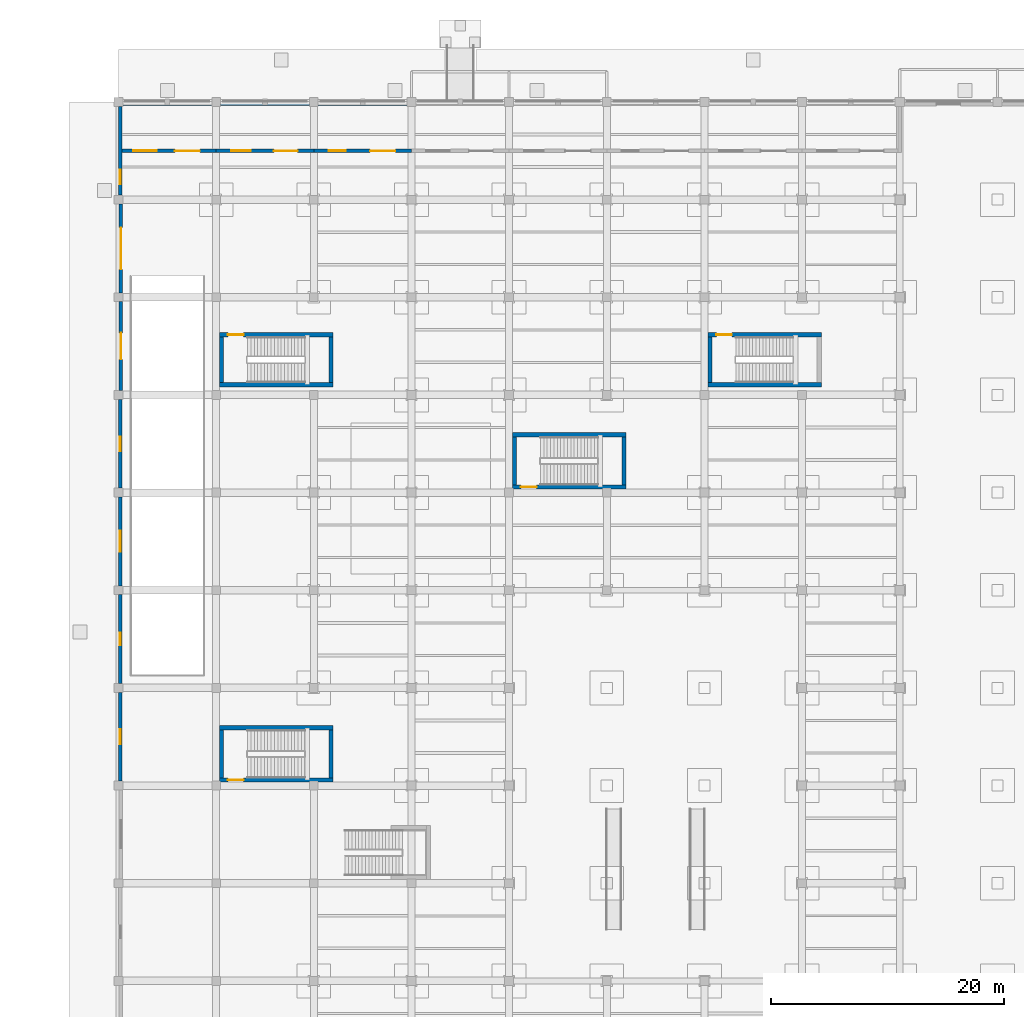
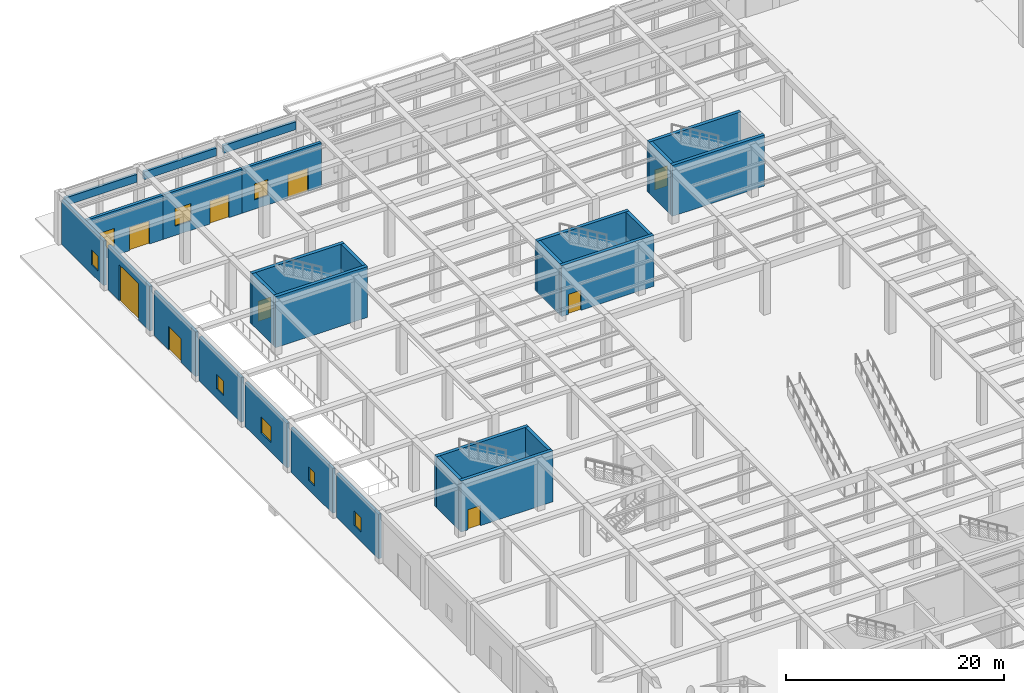
# One storey, part 25 of 43: 28 walls, 9 doors, 8 windows, 17 openings.
"""IFC4 building model written with IfcOpenShell, lengths in metres."""

from ifc_helpers import new_model, si_unit, direction, frame, frame_2d, origin, place, context, subcontext, project, spatial, rectangle, extrude, material, layer, layer_set, type_object, element, fill, save


model = new_model("IFC4")

# Units and contexts
model_context = context("Model", 3, precision=1e-05, world=origin(), true_north=direction((0.0, 1.0)))
body_context = subcontext(model_context, "Body", "Model", "MODEL_VIEW")
ifc_project = project(units=[si_unit("LENGTHUNIT", "METRE"), si_unit("AREAUNIT", "SQUARE_METRE"), si_unit("VOLUMEUNIT", "CUBIC_METRE"), si_unit("PLANEANGLEUNIT", "RADIAN"), si_unit("MASSUNIT", "GRAM", prefix="KILO")], contexts=[model_context])

# Site, building, storey
site_placement = place(None, origin())
site = spatial("IfcSite", under=ifc_project, at=site_placement, CompositionType="ELEMENT")
building_placement = place(site_placement, origin())
building = spatial("IfcBuilding", under=site, at=building_placement, Name="Almacenes y Pasaje Nevantli", CompositionType="ELEMENT")
storey_placement = place(building_placement, origin())
storey = spatial("IfcBuildingStorey", under=building, at=storey_placement, Name="L01", CompositionType="ELEMENT", Elevation=0.0)

# Wall
ifc_material_1 = material(Name="Concrete C45/55", Category="concrete")
ifc_layer_1 = layer(ifc_material_1, 0.35009765625)
ifc_layer_set_1 = layer_set([ifc_layer_1], Name="Concrete C45/55")
wall_type_1 = type_object("IfcWallType", Name="WL-CORE-350", PredefinedType="SHEAR", material=ifc_layer_set_1)
wall_1_placement = place(storey_placement, frame((8.699951171875, 93.27490234375, 0.0), z_axis=(0.0, 0.0, 1.0), x_axis=(1.0, 0.0, 0.0)))
element("IfcWall", 1, at=wall_1_placement, inside=storey, type_object=wall_type_1, Name="L01 Exit Stair ST-03 South Core Shear Wall", PredefinedType="SHEAR", context=body_context, shape_type="SweptSolid", body=[
    extrude(rectangle(XDim=9.75, YDim=0.35009765625, at=frame_2d((4.875, 0.0))), origin(), (0.0, 0.0, 1.0), 5.699951171875),
])

# Wall, opening, door
wall_2_placement = place(storey_placement, frame((8.699951171875, 97.574951171875, 0.0), z_axis=(0.0, 0.0, 1.0), x_axis=(1.0, 0.0, 0.0)))
wall_2 = element("IfcWall", 2, at=wall_2_placement, inside=storey, type_object=wall_type_1, Name="L01 Exit Stair ST-03 North Core Shear Wall", PredefinedType="SHEAR", context=body_context, shape_type="SweptSolid", body=[
    extrude(rectangle(XDim=9.75, YDim=0.35009765625, at=frame_2d((4.875, 0.0))), origin(), (0.0, 0.0, 1.0), 5.699951171875),
])
opening_1_placement = place(wall_2_placement, frame((0.719970703125, 0.0, 0.0)))
opening_1 = element("IfcOpeningElement", 3, at=opening_1_placement, cuts=wall_2, Name="Opening SD-03-L01", PredefinedType="OPENING", context=body_context, shape_type="SweptSolid", body=[
    extrude(rectangle(XDim=1.35009765625, YDim=2.25, at=frame_2d((0.675048828125, 1.125))), frame((0.0, 0.18505859375, 0.0), z_axis=(0.0, -1.0, 0.0), x_axis=(1.0, 0.0, 0.0)), (0.0, 0.0, 1.0), 0.3701171875),
])
ifc_material_2 = material(Name="Galvanized Fire-Rated Steel", Category="steel")
door_type_1 = type_object("IfcDoorType", Name="DR-STAIR-1350", OperationType="SINGLE_SWING_LEFT", PredefinedType="DOOR", material=ifc_material_2)
door_1_placement = place(opening_1_placement, origin())
door_1 = element("IfcDoor", 4, at=door_1_placement, inside=storey, type_object=door_type_1, Name="L01 Smokeproof Exit Stair ST-03 Fire Door", OperationType="SINGLE_SWING_LEFT", OverallHeight=2.25, OverallWidth=1.35009765625, PredefinedType="DOOR", context=body_context, shape_type="SweptSolid", body=[
    extrude(rectangle(XDim=1.35009765625, YDim=2.25, at=frame_2d((0.675048828125, 1.125))), frame((0.0, 0.02490234375, 0.0), z_axis=(0.0, -1.0, 0.0), x_axis=(1.0, 0.0, 0.0)), (0.0, 0.0, 1.0), 0.050048828125),
])
fill(opening_1, door_1)

# Walls
for number, where, z_axis, x_axis, name in (
    (5, (8.875, 93.449951171875, 0.0), (0.0, 0.0, 1.0), (0.0, 1.0, 0.0), "L01 Exit Stair ST-03 West Core Shear Wall"),
    (6, (18.27490234375, 93.449951171875, 0.0), (0.0, 0.0, 1.0), (0.0, 1.0, 0.0), "L01 Exit Stair ST-03 East Core Shear Wall"),
):
    element("IfcWall", number, at=place(storey_placement, frame(where, z_axis=z_axis, x_axis=x_axis)), inside=storey, type_object=wall_type_1, Name=name, PredefinedType="SHEAR", context=body_context, shape_type="SweptSolid", body=[
        extrude(rectangle(XDim=3.949951171875, YDim=0.35009765625, at=frame_2d((1.97509765625, 0.0))), origin(), (0.0, 0.0, 1.0), 5.699951171875),
    ])
wall_3_placement = place(storey_placement, frame((50.699951171875, 93.27490234375, 0.0), z_axis=(0.0, 0.0, 1.0), x_axis=(1.0, 0.0, 0.0)))
element("IfcWall", 7, at=wall_3_placement, inside=storey, type_object=wall_type_1, Name="L01 Exit Stair ST-05 South Core Shear Wall", PredefinedType="SHEAR", context=body_context, shape_type="SweptSolid", body=[
    extrude(rectangle(XDim=9.75, YDim=0.35009765625, at=frame_2d((4.875, 0.0))), origin(), (0.0, 0.0, 1.0), 5.699951171875),
])

# Wall, opening, door
wall_4_placement = place(storey_placement, frame((50.699951171875, 97.574951171875, 0.0), z_axis=(0.0, 0.0, 1.0), x_axis=(1.0, 0.0, 0.0)))
wall_4 = element("IfcWall", 8, at=wall_4_placement, inside=storey, type_object=wall_type_1, Name="L01 Exit Stair ST-05 North Core Shear Wall", PredefinedType="SHEAR", context=body_context, shape_type="SweptSolid", body=[
    extrude(rectangle(XDim=9.75, YDim=0.35009765625, at=frame_2d((4.875, 0.0))), origin(), (0.0, 0.0, 1.0), 5.699951171875),
])
opening_2_placement = place(wall_4_placement, frame((0.719970703125, 0.0, 0.0)))
opening_2 = element("IfcOpeningElement", 9, at=opening_2_placement, cuts=wall_4, Name="Opening SD-05-L01", PredefinedType="OPENING", context=body_context, shape_type="SweptSolid", body=[
    extrude(rectangle(XDim=1.35009765625, YDim=2.25, at=frame_2d((0.675048828125, 1.125))), frame((0.0, 0.18505859375, 0.0), z_axis=(0.0, -1.0, 0.0), x_axis=(1.0, 0.0, 0.0)), (0.0, 0.0, 1.0), 0.3701171875),
])
door_2_placement = place(opening_2_placement, origin())
door_2 = element("IfcDoor", 10, at=door_2_placement, inside=storey, type_object=door_type_1, Name="L01 Smokeproof Exit Stair ST-05 Fire Door", OperationType="SINGLE_SWING_LEFT", OverallHeight=2.25, OverallWidth=1.35009765625, PredefinedType="DOOR", context=body_context, shape_type="SweptSolid", body=[
    extrude(rectangle(XDim=1.35009765625, YDim=2.25, at=frame_2d((0.675048828125, 1.125))), frame((0.0, 0.02490234375, 0.0), z_axis=(0.0, -1.0, 0.0), x_axis=(1.0, 0.0, 0.0)), (0.0, 0.0, 1.0), 0.050048828125),
])
fill(opening_2, door_2)

# Wall
wall_5_placement = place(storey_placement, frame((50.875, 93.449951171875, 0.0), z_axis=(0.0, 0.0, 1.0), x_axis=(0.0, 1.0, 0.0)))
element("IfcWall", 11, at=wall_5_placement, inside=storey, type_object=wall_type_1, Name="L01 Exit Stair ST-05 West Core Shear Wall", PredefinedType="SHEAR", context=body_context, shape_type="SweptSolid", body=[
    extrude(rectangle(XDim=3.949951171875, YDim=0.35009765625, at=frame_2d((1.97509765625, 0.0))), origin(), (0.0, 0.0, 1.0), 5.699951171875),
])

# Wall, opening, door
wall_6_placement = place(storey_placement, frame((8.699951171875, 59.27490234375, 0.0), z_axis=(0.0, 0.0, 1.0), x_axis=(1.0, 0.0, 0.0)))
wall_6 = element("IfcWall", 12, at=wall_6_placement, inside=storey, type_object=wall_type_1, Name="L01 Exit Stair ST-12 South Core Shear Wall", PredefinedType="SHEAR", context=body_context, shape_type="SweptSolid", body=[
    extrude(rectangle(XDim=9.75, YDim=0.35009765625, at=frame_2d((4.875, 0.0))), origin(), (0.0, 0.0, 1.0), 5.699951171875),
])
opening_3_placement = place(wall_6_placement, frame((0.719970703125, 0.0, 0.0)))
opening_3 = element("IfcOpeningElement", 13, at=opening_3_placement, cuts=wall_6, Name="Opening SD-12-L01", PredefinedType="OPENING", context=body_context, shape_type="SweptSolid", body=[
    extrude(rectangle(XDim=1.35009765625, YDim=2.25, at=frame_2d((0.675048828125, 1.125))), frame((0.0, 0.18505859375, 0.0), z_axis=(0.0, -1.0, 0.0), x_axis=(1.0, 0.0, 0.0)), (0.0, 0.0, 1.0), 0.3701171875),
])
ifc_material_3 = material(Name="Galvanized Fire-Rated Steel", Category="steel")
door_type_2 = type_object("IfcDoorType", Name="DR-STAIR-1350R", OperationType="SINGLE_SWING_RIGHT", PredefinedType="DOOR", material=ifc_material_3)
door_3_placement = place(opening_3_placement, origin())
door_3 = element("IfcDoor", 14, at=door_3_placement, inside=storey, type_object=door_type_2, Name="L01 Smokeproof Exit Stair ST-12 Fire Door", OperationType="SINGLE_SWING_RIGHT", OverallHeight=2.25, OverallWidth=1.35009765625, PredefinedType="DOOR", context=body_context, shape_type="SweptSolid", body=[
    extrude(rectangle(XDim=1.35009765625, YDim=2.25, at=frame_2d((0.675048828125, 1.125))), frame((0.0, 0.02490234375, 0.0), z_axis=(0.0, -1.0, 0.0), x_axis=(1.0, 0.0, 0.0)), (0.0, 0.0, 1.0), 0.050048828125),
])
fill(opening_3, door_3)

# Walls
wall_7_placement = place(storey_placement, frame((8.699951171875, 63.77490234375, 0.0), z_axis=(0.0, 0.0, 1.0), x_axis=(1.0, 0.0, 0.0)))
element("IfcWall", 15, at=wall_7_placement, inside=storey, type_object=wall_type_1, Name="L01 Exit Stair ST-12 North Core Shear Wall", PredefinedType="SHEAR", context=body_context, shape_type="SweptSolid", body=[
    extrude(rectangle(XDim=9.75, YDim=0.35009765625, at=frame_2d((4.875, 0.0))), origin(), (0.0, 0.0, 1.0), 5.699951171875),
])
for number, where, z_axis, x_axis, name in (
    (16, (8.875, 59.449951171875, 0.0), (0.0, 0.0, 1.0), (0.0, 1.0, 0.0), "L01 Exit Stair ST-12 West Core Shear Wall"),
    (17, (18.27490234375, 59.449951171875, 0.0), (0.0, 0.0, 1.0), (0.0, 1.0, 0.0), "L01 Exit Stair ST-12 East Core Shear Wall"),
):
    element("IfcWall", number, at=place(storey_placement, frame(where, z_axis=z_axis, x_axis=x_axis)), inside=storey, type_object=wall_type_1, Name=name, PredefinedType="SHEAR", context=body_context, shape_type="SweptSolid", body=[
        extrude(rectangle(XDim=4.150146484375, YDim=0.35009765625, at=frame_2d((2.0751953125, 0.0))), origin(), (0.0, 0.0, 1.0), 5.699951171875),
    ])

# Wall, opening, door
wall_8_placement = place(storey_placement, frame((33.89990234375, 84.47509765625, 0.0), z_axis=(0.0, 0.0, 1.0), x_axis=(1.0, 0.0, 0.0)))
wall_8 = element("IfcWall", 18, at=wall_8_placement, inside=storey, type_object=wall_type_1, Name="L01 Exit Stair ST-15 South Core Shear Wall", PredefinedType="SHEAR", context=body_context, shape_type="SweptSolid", body=[
    extrude(rectangle(XDim=9.75, YDim=0.35009765625, at=frame_2d((4.875, 0.0))), origin(), (0.0, 0.0, 1.0), 5.699951171875),
])
opening_4_placement = place(wall_8_placement, frame((0.719970703125, 0.0, 0.0)))
opening_4 = element("IfcOpeningElement", 19, at=opening_4_placement, cuts=wall_8, Name="Opening SD-15-L01", PredefinedType="OPENING", context=body_context, shape_type="SweptSolid", body=[
    extrude(rectangle(XDim=1.35009765625, YDim=2.25, at=frame_2d((0.675048828125, 1.125))), frame((0.0, 0.18505859375, 0.0), z_axis=(0.0, -1.0, 0.0), x_axis=(1.0, 0.0, 0.0)), (0.0, 0.0, 1.0), 0.3701171875),
])
door_4_placement = place(opening_4_placement, origin())
door_4 = element("IfcDoor", 20, at=door_4_placement, inside=storey, type_object=door_type_1, Name="L01 Smokeproof Exit Stair ST-15 Fire Door", OperationType="SINGLE_SWING_LEFT", OverallHeight=2.25, OverallWidth=1.35009765625, PredefinedType="DOOR", context=body_context, shape_type="SweptSolid", body=[
    extrude(rectangle(XDim=1.35009765625, YDim=2.25, at=frame_2d((0.675048828125, 1.125))), frame((0.0, 0.02490234375, 0.0), z_axis=(0.0, -1.0, 0.0), x_axis=(1.0, 0.0, 0.0)), (0.0, 0.0, 1.0), 0.050048828125),
])
fill(opening_4, door_4)

# Walls
wall_9_placement = place(storey_placement, frame((33.89990234375, 88.97509765625, 0.0), z_axis=(0.0, 0.0, 1.0), x_axis=(1.0, 0.0, 0.0)))
element("IfcWall", 21, at=wall_9_placement, inside=storey, type_object=wall_type_1, Name="L01 Exit Stair ST-15 North Core Shear Wall", PredefinedType="SHEAR", context=body_context, shape_type="SweptSolid", body=[
    extrude(rectangle(XDim=9.75, YDim=0.35009765625, at=frame_2d((4.875, 0.0))), origin(), (0.0, 0.0, 1.0), 5.699951171875),
])
for number, where, z_axis, x_axis, name in (
    (22, (34.074951171875, 84.64990234375, 0.0), (0.0, 0.0, 1.0), (0.0, 1.0, 0.0), "L01 Exit Stair ST-15 West Core Shear Wall"),
    (23, (43.47509765625, 84.64990234375, 0.0), (0.0, 0.0, 1.0), (0.0, 1.0, 0.0), "L01 Exit Stair ST-15 East Core Shear Wall"),
):
    element("IfcWall", number, at=place(storey_placement, frame(where, z_axis=z_axis, x_axis=x_axis)), inside=storey, type_object=wall_type_1, Name=name, PredefinedType="SHEAR", context=body_context, shape_type="SweptSolid", body=[
        extrude(rectangle(XDim=4.150146484375, YDim=0.35009765625, at=frame_2d((2.0751953125, 0.0))), origin(), (0.0, 0.0, 1.0), 5.699951171875),
    ])
ifc_material_4 = material(Name="Architectural Precast Concrete C35/45 Spandrel Wall", Category="concrete")
ifc_layer_2 = layer(ifc_material_4, 0.280029296875)
ifc_layer_set_2 = layer_set([ifc_layer_2], Name="Architectural Precast Concrete C35/45 Spandrel Wall")
wall_type_2 = type_object("IfcWallType", Name="WL-EXT-CANTERA-280", PredefinedType="SOLIDWALL", material=ifc_layer_set_2)
for number, where, z_axis, x_axis, name in (
    (24, (0.3779296875, 117.449951171875, 4.10009765625), (0.0, 0.0, 1.0), (1.0, 0.0, 0.0), "L01 Boulevard Portales Colonnade Spandrel Frieze Bay 1"),
    (25, (8.778076171875, 117.449951171875, 4.10009765625), (0.0, 0.0, 1.0), (1.0, 0.0, 0.0), "L01 Boulevard Portales Colonnade Spandrel Frieze Bay 2"),
    (26, (17.177978515625, 117.449951171875, 4.10009765625), (0.0, 0.0, 1.0), (1.0, 0.0, 0.0), "L01 Boulevard Portales Colonnade Spandrel Frieze Bay 3"),
):
    element("IfcWall", number, at=place(storey_placement, frame(where, z_axis=z_axis, x_axis=x_axis)), inside=storey, type_object=wall_type_2, Name=name, PredefinedType="SOLIDWALL", context=body_context, shape_type="SweptSolid", body=[
        extrude(rectangle(XDim=7.64404296875, YDim=0.280029296875, at=frame_2d((3.822021484375, 0.0))), origin(), (0.0, 0.0, 1.0), 0.8798828125),
    ])

# Wall, openings, door, window
ifc_material_5 = material(Name="Architectural Precast Concrete C35/45 Plinth Wall", Category="concrete")
ifc_layer_3 = layer(ifc_material_5, 0.31005859375)
ifc_layer_set_3 = layer_set([ifc_layer_3], Name="Architectural Precast Concrete C35/45 Plinth Wall")
wall_type_3 = type_object("IfcWallType", Name="WL-EXT-RECINTO-310", PredefinedType="SOLIDWALL", material=ifc_layer_set_3)
wall_10_placement = place(storey_placement, frame((0.30908203125, 113.39990234375, 0.0), z_axis=(0.0, 0.0, 1.0), x_axis=(1.0, 0.0, 0.0)))
wall_10 = element("IfcWall", 27, at=wall_10_placement, inside=storey, type_object=wall_type_3, Name="L01 Boulevard Portales Storefront Wall Bay 1", PredefinedType="SOLIDWALL", context=body_context, shape_type="SweptSolid", body=[
    extrude(rectangle(XDim=8.0908203125, YDim=0.31005859375, at=frame_2d((4.04541015625, 0.0))), origin(), (0.0, 0.0, 1.0), 4.97998046875),
])
opening_5_placement = place(wall_10_placement, frame((0.98095703125, 0.0, 1.050048828125)))
opening_5 = element("IfcOpeningElement", 28, at=opening_5_placement, cuts=wall_10, Name="Opening WT-15-001", PredefinedType="OPENING", context=body_context, shape_type="SweptSolid", body=[
    extrude(rectangle(XDim=2.0, YDim=2.0, at=frame_2d((1.0, 1.0))), frame((0.0, 0.1650390625, 0.0), z_axis=(0.0, -1.0, 0.0), x_axis=(1.0, 0.0, 0.0)), (0.0, 0.0, 1.0), 0.330078125),
])
opening_6_placement = place(wall_10_placement, frame((4.541015625, 0.0, 0.0)))
opening_6 = element("IfcOpeningElement", 29, at=opening_6_placement, cuts=wall_10, Name="Opening ED-L01-001", PredefinedType="OPENING", context=body_context, shape_type="SweptSolid", body=[
    extrude(rectangle(XDim=2.159912109375, YDim=2.60009765625, at=frame_2d((1.080078125, 1.300048828125))), frame((0.0, 0.1650390625, 0.0), z_axis=(0.0, -1.0, 0.0), x_axis=(1.0, 0.0, 0.0)), (0.0, 0.0, 1.0), 0.330078125),
])
ifc_material_6 = material(Name="Anodized Aluminium and Safety Glass", Category="aluminium")
door_type_3 = type_object("IfcDoorType", Name="DR-EXT-DBL-2160", OperationType="DOUBLE_DOOR_SINGLE_SWING", PredefinedType="DOOR", material=ifc_material_6)
door_5_placement = place(opening_6_placement, origin())
door_5 = element("IfcDoor", 30, at=door_5_placement, inside=storey, type_object=door_type_3, Name="L01 Boulevard Portales Entrance Door Bay 1", OperationType="DOUBLE_DOOR_SINGLE_SWING", OverallHeight=2.60009765625, OverallWidth=2.159912109375, PredefinedType="DOOR", context=body_context, shape_type="SweptSolid", body=[
    extrude(rectangle(XDim=2.159912109375, YDim=2.60009765625, at=frame_2d((1.080078125, 1.300048828125))), frame((0.0, 0.02490234375, 0.0), z_axis=(0.0, -1.0, 0.0), x_axis=(1.0, 0.0, 0.0)), (0.0, 0.0, 1.0), 0.050048828125),
])
fill(opening_6, door_5)
ifc_material_7 = material(Name="Thermally Broken Aluminium and Low-E Double Glazing", Category="aluminium")
window_type_1 = type_object("IfcWindowType", Name="WN-POD-2000x2000", PartitioningType="SINGLE_PANEL", PredefinedType="WINDOW", material=ifc_material_7)
window_1_placement = place(opening_5_placement, origin())
window_1 = element("IfcWindow", 31, at=window_1_placement, inside=storey, type_object=window_type_1, Name="L01 Exterior Window WT-15 #1", OverallHeight=2.0, OverallWidth=2.0, PartitioningType="SINGLE_PANEL", PredefinedType="WINDOW", context=body_context, shape_type="SweptSolid", body=[
    extrude(rectangle(XDim=2.0, YDim=2.0, at=frame_2d((1.0, 1.0))), frame((0.0, 0.030029296875, 0.0), z_axis=(0.0, -1.0, 0.0), x_axis=(1.0, 0.0, 0.0)), (0.0, 0.0, 1.0), 0.06005859375),
])
fill(opening_5, window_1)

wall_11_placement = place(storey_placement, frame((8.39990234375, 113.39990234375, 0.0), z_axis=(0.0, 0.0, 1.0), x_axis=(1.0, 0.0, 0.0)))
wall_11 = element("IfcWall", 32, at=wall_11_placement, inside=storey, type_object=wall_type_3, Name="L01 Boulevard Portales Storefront Wall Bay 2", PredefinedType="SOLIDWALL", context=body_context, shape_type="SweptSolid", body=[
    extrude(rectangle(XDim=8.400146484375, YDim=0.31005859375, at=frame_2d((4.2001953125, 0.0))), origin(), (0.0, 0.0, 1.0), 4.97998046875),
])
opening_7_placement = place(wall_11_placement, frame((1.2900390625, 0.0, 1.050048828125)))
opening_7 = element("IfcOpeningElement", 33, at=opening_7_placement, cuts=wall_11, Name="Opening WT-16-002", PredefinedType="OPENING", context=body_context, shape_type="SweptSolid", body=[
    extrude(rectangle(XDim=1.699951171875, YDim=1.949951171875, at=frame_2d((0.85009765625, 0.97509765625))), frame((0.0, 0.1650390625, 0.0), z_axis=(0.0, -1.0, 0.0), x_axis=(1.0, 0.0, 0.0)), (0.0, 0.0, 1.0), 0.330078125),
])
opening_8_placement = place(wall_11_placement, frame((4.969970703125, 0.0, 0.0)))
opening_8 = element("IfcOpeningElement", 34, at=opening_8_placement, cuts=wall_11, Name="Opening ED-L01-002", PredefinedType="OPENING", context=body_context, shape_type="SweptSolid", body=[
    extrude(rectangle(XDim=2.0400390625, YDim=2.550048828125, at=frame_2d((1.02001953125, 1.27490234375))), frame((0.0, 0.1650390625, 0.0), z_axis=(0.0, -1.0, 0.0), x_axis=(1.0, 0.0, 0.0)), (0.0, 0.0, 1.0), 0.330078125),
])
ifc_material_8 = material(Name="Anodized Aluminium and Safety Glass", Category="aluminium")
door_type_4 = type_object("IfcDoorType", Name="DR-EXT-DBL-2040", OperationType="DOUBLE_DOOR_SINGLE_SWING", PredefinedType="DOOR", material=ifc_material_8)
door_6_placement = place(opening_8_placement, origin())
door_6 = element("IfcDoor", 35, at=door_6_placement, inside=storey, type_object=door_type_4, Name="L01 Boulevard Portales Entrance Door Bay 2", OperationType="DOUBLE_DOOR_SINGLE_SWING", OverallHeight=2.550048828125, OverallWidth=2.0400390625, PredefinedType="DOOR", context=body_context, shape_type="SweptSolid", body=[
    extrude(rectangle(XDim=2.0400390625, YDim=2.550048828125, at=frame_2d((1.02001953125, 1.27490234375))), frame((0.0, 0.02490234375, 0.0), z_axis=(0.0, -1.0, 0.0), x_axis=(1.0, 0.0, 0.0)), (0.0, 0.0, 1.0), 0.050048828125),
])
fill(opening_8, door_6)
ifc_material_9 = material(Name="Thermally Broken Aluminium and Low-E Double Glazing", Category="aluminium")
window_type_2 = type_object("IfcWindowType", Name="WN-POD-1700x1950", PartitioningType="SINGLE_PANEL", PredefinedType="WINDOW", material=ifc_material_9)
window_2_placement = place(opening_7_placement, origin())
window_2 = element("IfcWindow", 36, at=window_2_placement, inside=storey, type_object=window_type_2, Name="L01 Exterior Window WT-16 #2", OverallHeight=1.949951171875, OverallWidth=1.699951171875, PartitioningType="SINGLE_PANEL", PredefinedType="WINDOW", context=body_context, shape_type="SweptSolid", body=[
    extrude(rectangle(XDim=1.699951171875, YDim=1.949951171875, at=frame_2d((0.85009765625, 0.97509765625))), frame((0.0, 0.030029296875, 0.0), z_axis=(0.0, -1.0, 0.0), x_axis=(1.0, 0.0, 0.0)), (0.0, 0.0, 1.0), 0.06005859375),
])
fill(opening_7, window_2)

wall_12_placement = place(storey_placement, frame((16.800048828125, 113.39990234375, 0.0), z_axis=(0.0, 0.0, 1.0), x_axis=(1.0, 0.0, 0.0)))
wall_12 = element("IfcWall", 37, at=wall_12_placement, inside=storey, type_object=wall_type_3, Name="L01 Boulevard Portales Storefront Wall Bay 3", PredefinedType="SOLIDWALL", context=body_context, shape_type="SweptSolid", body=[
    extrude(rectangle(XDim=8.39990234375, YDim=0.31005859375, at=frame_2d((4.199951171875, 0.0))), origin(), (0.0, 0.0, 1.0), 4.97998046875),
])
opening_9_placement = place(wall_12_placement, frame((1.2900390625, 0.0, 1.050048828125)))
opening_9 = element("IfcOpeningElement", 38, at=opening_9_placement, cuts=wall_12, Name="Opening WT-17-003", PredefinedType="OPENING", context=body_context, shape_type="SweptSolid", body=[
    extrude(rectangle(XDim=1.449951171875, YDim=1.800048828125, at=frame_2d((0.72509765625, 0.89990234375))), frame((0.0, 0.1650390625, 0.0), z_axis=(0.0, -1.0, 0.0), x_axis=(1.0, 0.0, 0.0)), (0.0, 0.0, 1.0), 0.330078125),
])
opening_10_placement = place(wall_12_placement, frame((4.85009765625, 0.0, 0.0)))
opening_10 = element("IfcOpeningElement", 39, at=opening_10_placement, cuts=wall_12, Name="Opening ED-L01-003", PredefinedType="OPENING", context=body_context, shape_type="SweptSolid", body=[
    extrude(rectangle(XDim=2.159912109375, YDim=2.60009765625, at=frame_2d((1.080078125, 1.300048828125))), frame((0.0, 0.1650390625, 0.0), z_axis=(0.0, -1.0, 0.0), x_axis=(1.0, 0.0, 0.0)), (0.0, 0.0, 1.0), 0.330078125),
])
door_7_placement = place(opening_10_placement, origin())
door_7 = element("IfcDoor", 40, at=door_7_placement, inside=storey, type_object=door_type_3, Name="L01 Boulevard Portales Entrance Door Bay 3", OperationType="DOUBLE_DOOR_SINGLE_SWING", OverallHeight=2.60009765625, OverallWidth=2.159912109375, PredefinedType="DOOR", context=body_context, shape_type="SweptSolid", body=[
    extrude(rectangle(XDim=2.159912109375, YDim=2.60009765625, at=frame_2d((1.080078125, 1.300048828125))), frame((0.0, 0.02490234375, 0.0), z_axis=(0.0, -1.0, 0.0), x_axis=(1.0, 0.0, 0.0)), (0.0, 0.0, 1.0), 0.050048828125),
])
fill(opening_10, door_7)
ifc_material_10 = material(Name="Thermally Broken Aluminium and Low-E Double Glazing", Category="aluminium")
window_type_3 = type_object("IfcWindowType", Name="WN-POD-1450x1800", PartitioningType="SINGLE_PANEL", PredefinedType="WINDOW", material=ifc_material_10)
window_3_placement = place(opening_9_placement, origin())
window_3 = element("IfcWindow", 41, at=window_3_placement, inside=storey, type_object=window_type_3, Name="L01 Exterior Window WT-17 #3", OverallHeight=1.800048828125, OverallWidth=1.449951171875, PartitioningType="SINGLE_PANEL", PredefinedType="WINDOW", context=body_context, shape_type="SweptSolid", body=[
    extrude(rectangle(XDim=1.449951171875, YDim=1.800048828125, at=frame_2d((0.72509765625, 0.89990234375))), frame((0.0, 0.030029296875, 0.0), z_axis=(0.0, -1.0, 0.0), x_axis=(1.0, 0.0, 0.0)), (0.0, 0.0, 1.0), 0.06005859375),
])
fill(opening_9, window_3)

# Wall, opening, window
wall_13_placement = place(storey_placement, frame((0.14990234375, 59.177978515625, 0.0), z_axis=(0.0, 0.0, 1.0), x_axis=(0.0, 1.0, 0.0)))
wall_13 = element("IfcWall", 42, at=wall_13_placement, inside=storey, type_object=wall_type_3, Name="L01 West Avenue Cantera Wall Bay 8", PredefinedType="SOLIDWALL", context=body_context, shape_type="SweptSolid", body=[
    extrude(rectangle(XDim=7.64404296875, YDim=0.31005859375, at=frame_2d((3.822021484375, 0.0))), origin(), (0.0, 0.0, 1.0), 4.97998046875),
])
opening_11_placement = place(wall_13_placement, frame((3.197021484375, 0.0, 1.050048828125)))
opening_11 = element("IfcOpeningElement", 43, at=opening_11_placement, cuts=wall_13, Name="Opening WT-18-028", PredefinedType="OPENING", context=body_context, shape_type="SweptSolid", body=[
    extrude(rectangle(XDim=1.25, YDim=1.64990234375, at=frame_2d((0.625, 0.824951171875))), frame((0.0, 0.1650390625, 0.0), z_axis=(0.0, -1.0, 0.0), x_axis=(1.0, 0.0, 0.0)), (0.0, 0.0, 1.0), 0.330078125),
])
ifc_material_11 = material(Name="Thermally Broken Aluminium and Low-E Double Glazing", Category="aluminium")
window_type_4 = type_object("IfcWindowType", Name="WN-POD-1250x1650", PartitioningType="SINGLE_PANEL", PredefinedType="WINDOW", material=ifc_material_11)
window_4_placement = place(opening_11_placement, origin())
window_4 = element("IfcWindow", 44, at=window_4_placement, inside=storey, type_object=window_type_4, Name="L01 Exterior Window WT-18 #28", OverallHeight=1.64990234375, OverallWidth=1.25, PartitioningType="SINGLE_PANEL", PredefinedType="WINDOW", context=body_context, shape_type="SweptSolid", body=[
    extrude(rectangle(XDim=1.25, YDim=1.64990234375, at=frame_2d((0.625, 0.824951171875))), frame((0.0, 0.030029296875, 0.0), z_axis=(0.0, -1.0, 0.0), x_axis=(1.0, 0.0, 0.0)), (0.0, 0.0, 1.0), 0.06005859375),
])
fill(opening_11, window_4)

wall_14_placement = place(storey_placement, frame((0.14990234375, 67.577880859375, 0.0), z_axis=(0.0, 0.0, 1.0), x_axis=(0.0, 1.0, 0.0)))
wall_14 = element("IfcWall", 45, at=wall_14_placement, inside=storey, type_object=wall_type_3, Name="L01 West Avenue Cantera Wall Bay 9", PredefinedType="SOLIDWALL", context=body_context, shape_type="SweptSolid", body=[
    extrude(rectangle(XDim=7.64404296875, YDim=0.31005859375, at=frame_2d((3.822021484375, 0.0))), origin(), (0.0, 0.0, 1.0), 4.97998046875),
])
opening_12_placement = place(wall_14_placement, frame((3.27197265625, 0.0, 1.050048828125)))
opening_12 = element("IfcOpeningElement", 46, at=opening_12_placement, cuts=wall_14, Name="Opening WT-19-029", PredefinedType="OPENING", context=body_context, shape_type="SweptSolid", body=[
    extrude(rectangle(XDim=1.10009765625, YDim=1.5, at=frame_2d((0.550048828125, 0.75))), frame((0.0, 0.1650390625, 0.0), z_axis=(0.0, -1.0, 0.0), x_axis=(1.0, 0.0, 0.0)), (0.0, 0.0, 1.0), 0.330078125),
])
ifc_material_12 = material(Name="Thermally Broken Aluminium and Low-E Double Glazing", Category="aluminium")
window_type_5 = type_object("IfcWindowType", Name="WN-POD-1100x1500", PartitioningType="SINGLE_PANEL", PredefinedType="WINDOW", material=ifc_material_12)
window_5_placement = place(opening_12_placement, origin())
window_5 = element("IfcWindow", 47, at=window_5_placement, inside=storey, type_object=window_type_5, Name="L01 Exterior Window WT-19 #29", OverallHeight=1.5, OverallWidth=1.10009765625, PartitioningType="SINGLE_PANEL", PredefinedType="WINDOW", context=body_context, shape_type="SweptSolid", body=[
    extrude(rectangle(XDim=1.10009765625, YDim=1.5, at=frame_2d((0.550048828125, 0.75))), frame((0.0, 0.030029296875, 0.0), z_axis=(0.0, -1.0, 0.0), x_axis=(1.0, 0.0, 0.0)), (0.0, 0.0, 1.0), 0.06005859375),
])
fill(opening_12, window_5)

wall_15_placement = place(storey_placement, frame((0.14990234375, 75.97802734375, 0.0), z_axis=(0.0, 0.0, 1.0), x_axis=(0.0, 1.0, 0.0)))
wall_15 = element("IfcWall", 48, at=wall_15_placement, inside=storey, type_object=wall_type_3, Name="L01 West Avenue Cantera Wall Bay 10", PredefinedType="SOLIDWALL", context=body_context, shape_type="SweptSolid", body=[
    extrude(rectangle(XDim=7.64404296875, YDim=0.31005859375, at=frame_2d((3.822021484375, 0.0))), origin(), (0.0, 0.0, 1.0), 4.97998046875),
])
opening_13_placement = place(wall_15_placement, frame((2.922119140625, 0.0, 1.050048828125)))
opening_13 = element("IfcOpeningElement", 49, at=opening_13_placement, cuts=wall_15, Name="Opening WT-07-030", PredefinedType="OPENING", context=body_context, shape_type="SweptSolid", body=[
    extrude(rectangle(XDim=1.800048828125, YDim=1.800048828125, at=frame_2d((0.89990234375, 0.89990234375))), frame((0.0, 0.1650390625, 0.0), z_axis=(0.0, -1.0, 0.0), x_axis=(1.0, 0.0, 0.0)), (0.0, 0.0, 1.0), 0.330078125),
])
ifc_material_13 = material(Name="Thermally Broken Aluminium and Low-E Double Glazing", Category="aluminium")
window_type_6 = type_object("IfcWindowType", Name="WN-OCU-1800", PartitioningType="SINGLE_PANEL", PredefinedType="WINDOW", material=ifc_material_13)
window_6_placement = place(opening_13_placement, origin())
window_6 = element("IfcWindow", 50, at=window_6_placement, inside=storey, type_object=window_type_6, Name="L01 Exterior Window WT-07 #30", OverallHeight=1.800048828125, OverallWidth=1.800048828125, PartitioningType="SINGLE_PANEL", PredefinedType="WINDOW", context=body_context, shape_type="SweptSolid", body=[
    extrude(rectangle(XDim=1.800048828125, YDim=1.800048828125, at=frame_2d((0.89990234375, 0.89990234375))), frame((0.0, 0.030029296875, 0.0), z_axis=(0.0, -1.0, 0.0), x_axis=(1.0, 0.0, 0.0)), (0.0, 0.0, 1.0), 0.06005859375),
])
fill(opening_13, window_6)

wall_16_placement = place(storey_placement, frame((0.14990234375, 84.3779296875, 0.0), z_axis=(0.0, 0.0, 1.0), x_axis=(0.0, 1.0, 0.0)))
wall_16 = element("IfcWall", 51, at=wall_16_placement, inside=storey, type_object=wall_type_3, Name="L01 West Avenue Cantera Wall Bay 11", PredefinedType="SOLIDWALL", context=body_context, shape_type="SweptSolid", body=[
    extrude(rectangle(XDim=7.64404296875, YDim=0.31005859375, at=frame_2d((3.822021484375, 0.0))), origin(), (0.0, 0.0, 1.0), 4.97998046875),
])
opening_14_placement = place(wall_16_placement, frame((3.197021484375, 0.0, 1.050048828125)))
opening_14 = element("IfcOpeningElement", 52, at=opening_14_placement, cuts=wall_16, Name="Opening WT-18-031", PredefinedType="OPENING", context=body_context, shape_type="SweptSolid", body=[
    extrude(rectangle(XDim=1.25, YDim=1.64990234375, at=frame_2d((0.625, 0.824951171875))), frame((0.0, 0.1650390625, 0.0), z_axis=(0.0, -1.0, 0.0), x_axis=(1.0, 0.0, 0.0)), (0.0, 0.0, 1.0), 0.330078125),
])
window_7_placement = place(opening_14_placement, origin())
window_7 = element("IfcWindow", 53, at=window_7_placement, inside=storey, type_object=window_type_4, Name="L01 Exterior Window WT-18 #31", OverallHeight=1.64990234375, OverallWidth=1.25, PartitioningType="SINGLE_PANEL", PredefinedType="WINDOW", context=body_context, shape_type="SweptSolid", body=[
    extrude(rectangle(XDim=1.25, YDim=1.64990234375, at=frame_2d((0.625, 0.824951171875))), frame((0.0, 0.030029296875, 0.0), z_axis=(0.0, -1.0, 0.0), x_axis=(1.0, 0.0, 0.0)), (0.0, 0.0, 1.0), 0.06005859375),
])
fill(opening_14, window_7)

# Wall, opening, door
wall_17_placement = place(storey_placement, frame((0.199951171875, 92.778076171875, 0.0), z_axis=(0.0, 0.0, 1.0), x_axis=(0.0, 1.0, 0.0)))
wall_17 = element("IfcWall", 54, at=wall_17_placement, inside=storey, type_object=wall_type_3, Name="L01 West Avenue Retail Entrance Wall Bay 12", PredefinedType="SOLIDWALL", context=body_context, shape_type="SweptSolid", body=[
    extrude(rectangle(XDim=7.64404296875, YDim=0.31005859375, at=frame_2d((3.822021484375, 0.0))), origin(), (0.0, 0.0, 1.0), 4.97998046875),
])
opening_15_placement = place(wall_17_placement, frame((2.681884765625, 0.0, 0.0)))
opening_15 = element("IfcOpeningElement", 55, at=opening_15_placement, cuts=wall_17, Name="Opening ED-L01-032", PredefinedType="OPENING", context=body_context, shape_type="SweptSolid", body=[
    extrude(rectangle(XDim=2.280029296875, YDim=2.64990234375, at=frame_2d((1.14013671875, 1.324951171875))), frame((0.0, 0.1650390625, 0.0), z_axis=(0.0, -1.0, 0.0), x_axis=(1.0, 0.0, 0.0)), (0.0, 0.0, 1.0), 0.330078125),
])
ifc_material_14 = material(Name="Anodized Aluminium and Safety Glass", Category="aluminium")
door_type_5 = type_object("IfcDoorType", Name="DR-EXT-DBL-2280", OperationType="DOUBLE_DOOR_SINGLE_SWING", PredefinedType="DOOR", material=ifc_material_14)
door_8_placement = place(opening_15_placement, origin())
door_8 = element("IfcDoor", 56, at=door_8_placement, inside=storey, type_object=door_type_5, Name="L01 West Avenue Entrance Door Bay 12", OperationType="DOUBLE_DOOR_SINGLE_SWING", OverallHeight=2.64990234375, OverallWidth=2.280029296875, PredefinedType="DOOR", context=body_context, shape_type="SweptSolid", body=[
    extrude(rectangle(XDim=2.280029296875, YDim=2.64990234375, at=frame_2d((1.14013671875, 1.324951171875))), frame((0.0, 0.02490234375, 0.0), z_axis=(0.0, -1.0, 0.0), x_axis=(1.0, 0.0, 0.0)), (0.0, 0.0, 1.0), 0.050048828125),
])
fill(opening_15, door_8)

wall_18_placement = place(storey_placement, frame((0.199951171875, 101.177978515625, 0.0), z_axis=(0.0, 0.0, 1.0), x_axis=(0.0, 1.0, 0.0)))
wall_18 = element("IfcWall", 57, at=wall_18_placement, inside=storey, type_object=wall_type_3, Name="L01 West Basement Parking Entry Portal Wall", PredefinedType="SOLIDWALL", context=body_context, shape_type="SweptSolid", body=[
    extrude(rectangle(XDim=7.64404296875, YDim=0.31005859375, at=frame_2d((3.822021484375, 0.0))), origin(), (0.0, 0.0, 1.0), 4.97998046875),
])
opening_16_placement = place(wall_18_placement, frame((2.02197265625, 0.0, 0.0)))
opening_16 = element("IfcOpeningElement", 58, at=opening_16_placement, cuts=wall_18, Name="Opening GD-L01-005", PredefinedType="OPENING", context=body_context, shape_type="SweptSolid", body=[
    extrude(rectangle(XDim=3.60009765625, YDim=4.050048828125, at=frame_2d((1.800048828125, 2.02490234375))), frame((0.0, 0.1650390625, 0.0), z_axis=(0.0, -1.0, 0.0), x_axis=(1.0, 0.0, 0.0)), (0.0, 0.0, 1.0), 0.330078125),
])
ifc_material_15 = material(Name="Galvanized Insulated Steel", Category="steel")
door_type_6 = type_object("IfcDoorType", Name="DR-GATE-3600", OperationType="ROLLINGUP", PredefinedType="GATE", material=ifc_material_15)
door_9_placement = place(opening_16_placement, origin())
door_9 = element("IfcDoor", 59, at=door_9_placement, inside=storey, type_object=door_type_6, Name="L01 Basement Parking Security Roller Gate GD-L01-005", OperationType="ROLLINGUP", OverallHeight=4.050048828125, OverallWidth=3.60009765625, PredefinedType="GATE", context=body_context, shape_type="SweptSolid", body=[
    extrude(rectangle(XDim=3.60009765625, YDim=4.050048828125, at=frame_2d((1.800048828125, 2.02490234375))), frame((0.0, 0.02490234375, 0.0), z_axis=(0.0, -1.0, 0.0), x_axis=(1.0, 0.0, 0.0)), (0.0, 0.0, 1.0), 0.050048828125),
])
fill(opening_16, door_9)

# Wall, opening, window
wall_19_placement = place(storey_placement, frame((0.14990234375, 109.577880859375, 0.0), z_axis=(0.0, 0.0, 1.0), x_axis=(0.0, 1.0, 0.0)))
wall_19 = element("IfcWall", 60, at=wall_19_placement, inside=storey, type_object=wall_type_3, Name="L01 West Avenue Cantera Wall Bay 14", PredefinedType="SOLIDWALL", context=body_context, shape_type="SweptSolid", body=[
    extrude(rectangle(XDim=7.64404296875, YDim=0.31005859375, at=frame_2d((3.822021484375, 0.0))), origin(), (0.0, 0.0, 1.0), 4.97998046875),
])
opening_17_placement = place(wall_19_placement, frame((0.9619140625, 0.0, 1.050048828125)))
opening_17 = element("IfcOpeningElement", 61, at=opening_17_placement, cuts=wall_19, Name="Opening WT-18-032", PredefinedType="OPENING", context=body_context, shape_type="SweptSolid", body=[
    extrude(rectangle(XDim=1.25, YDim=1.64990234375, at=frame_2d((0.625, 0.824951171875))), frame((0.0, 0.1650390625, 0.0), z_axis=(0.0, -1.0, 0.0), x_axis=(1.0, 0.0, 0.0)), (0.0, 0.0, 1.0), 0.330078125),
])
window_8_placement = place(opening_17_placement, origin())
window_8 = element("IfcWindow", 62, at=window_8_placement, inside=storey, type_object=window_type_4, Name="L01 Exterior Window WT-18 #32", OverallHeight=1.64990234375, OverallWidth=1.25, PartitioningType="SINGLE_PANEL", PredefinedType="WINDOW", context=body_context, shape_type="SweptSolid", body=[
    extrude(rectangle(XDim=1.25, YDim=1.64990234375, at=frame_2d((0.625, 0.824951171875))), frame((0.0, 0.030029296875, 0.0), z_axis=(0.0, -1.0, 0.0), x_axis=(1.0, 0.0, 0.0)), (0.0, 0.0, 1.0), 0.06005859375),
])
fill(opening_17, window_8)

save(model, "model.ifc")
